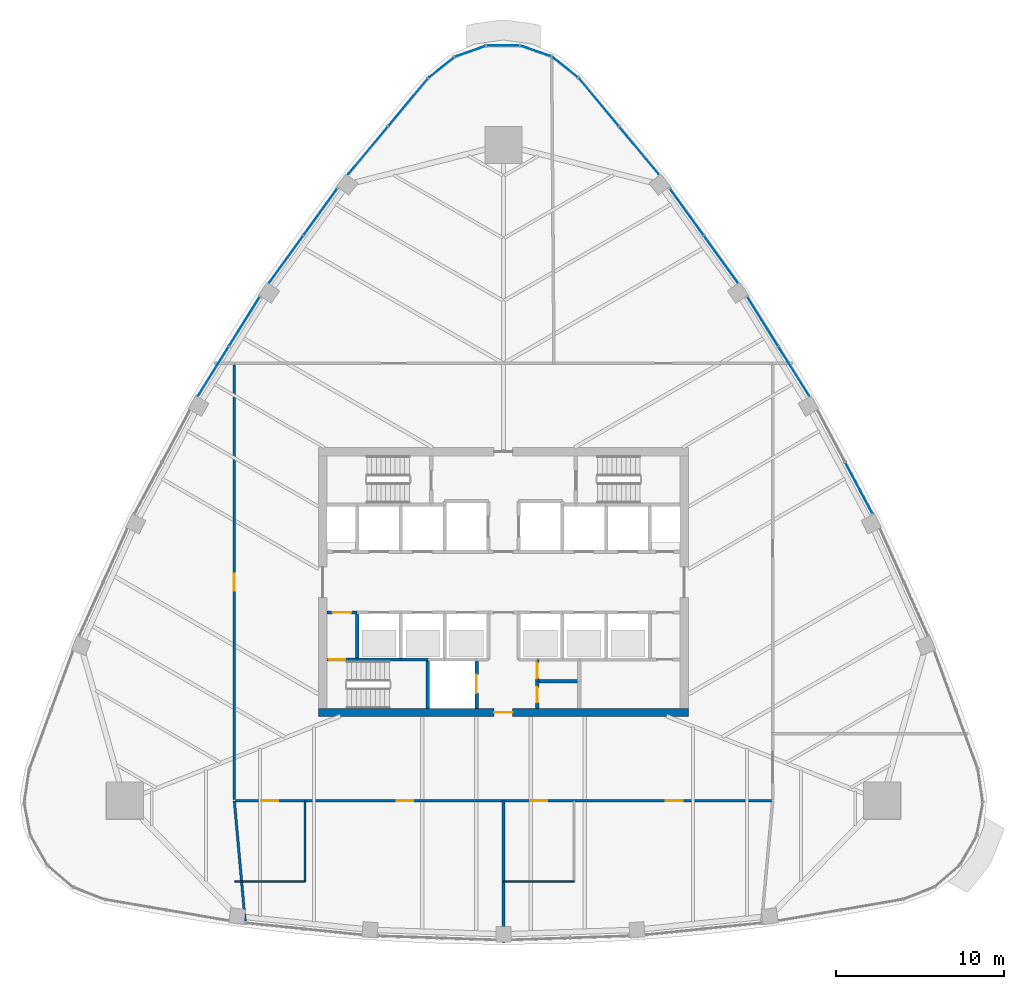
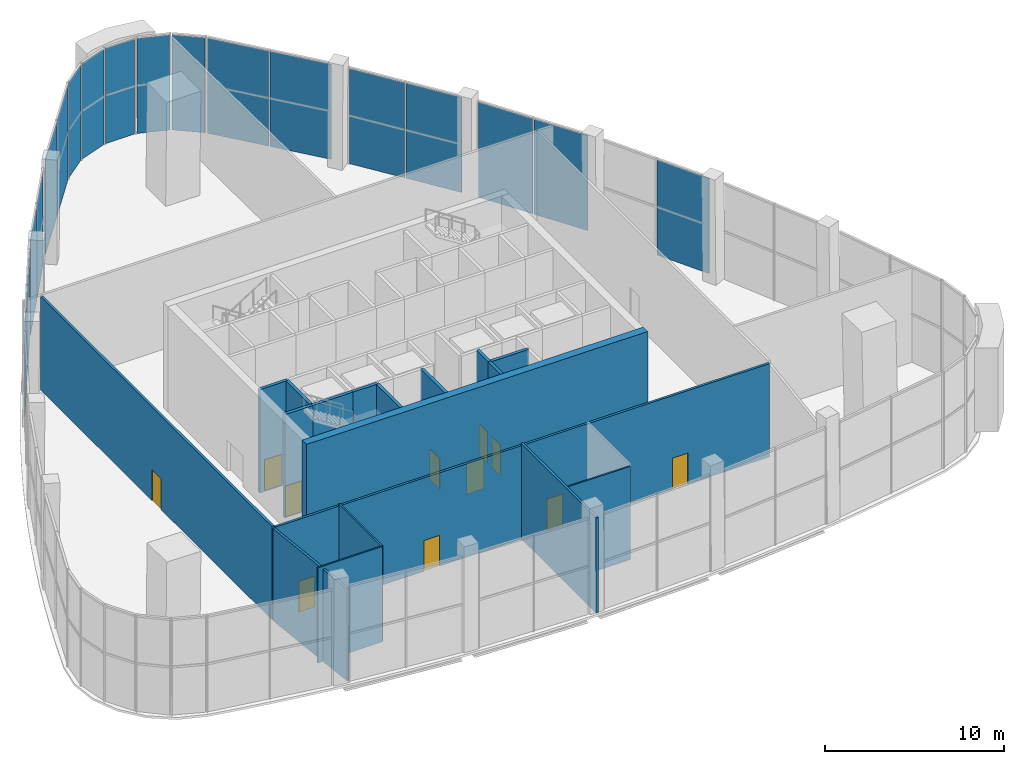
# One storey, part 9 of 15: 18 plates, 18 walls, 11 doors, 11 openings, 12 elements without a shape of their own.
"""IFC4 building model written with IfcOpenShell, lengths in metres."""

from ifc_helpers import new_model, si_unit, direction, frame, frame_2d, origin, origin_2d, place, context, subcontext, project, spatial, rectangle, extrude, material, layer, layer_set, type_object, element, fill, aggregate, save


model = new_model("IFC4")

# Units and contexts
model_context = context("Model", 3, precision=1e-05, world=origin(), true_north=direction((0.0, 1.0)))
body_context = subcontext(model_context, "Body", "Model", "MODEL_VIEW")
ifc_project = project(units=[si_unit("LENGTHUNIT", "METRE"), si_unit("AREAUNIT", "SQUARE_METRE"), si_unit("VOLUMEUNIT", "CUBIC_METRE"), si_unit("PLANEANGLEUNIT", "RADIAN"), si_unit("MASSUNIT", "GRAM", prefix="KILO")], contexts=[model_context])

# Site, building, storey
site_placement = place(None, origin())
site = spatial("IfcSite", under=ifc_project, at=site_placement, CompositionType="ELEMENT")
building_placement = place(site_placement, origin())
building = spatial("IfcBuilding", under=site, at=building_placement, Name="Sierra Prisma Convention Tower", CompositionType="ELEMENT")
storey_placement = place(building_placement, frame((0.0, 0.0, 219.800048828125)))
storey = spatial("IfcBuildingStorey", under=building, at=storey_placement, Name="L49", CompositionType="ELEMENT", Elevation=219.800048828125)

# Curtain wall, plate
ifc_material_1 = material(Name="Aluminium and glass curtain wall", Category="aluminium")
ifc_layer_1 = layer(ifc_material_1, 0.179931640625)
ifc_layer_set_1 = layer_set([ifc_layer_1], Name="CW-4 Sky lobby double-height curtain wall")
curtain_wall_type = type_object("IfcCurtainWallType", Name="CW-4 Sky lobby double-height curtain wall", PredefinedType="NOTDEFINED", material=ifc_layer_set_1)
curtain_wall_1_placement = place(storey_placement, origin())
curtain_wall_1 = element("IfcCurtainWall", 1, at=curtain_wall_1_placement, inside=storey, type_object=curtain_wall_type, Name="CW-4 NE3 L49", PredefinedType="NOTDEFINED")
ifc_material_2 = material(Name="Tinted glass bronze-grey IGU", Category="glass")
ifc_layer_2 = layer(ifc_material_2, 0.035888671875)
ifc_layer_set_2 = layer_set([ifc_layer_2], Name="CW-4 glass panel")
plate_type = type_object("IfcPlateType", Name="CW-4 glass panel", PredefinedType="CURTAIN_PANEL", material=ifc_layer_set_2)
plate_1_placement = place(storey_placement, frame((21.122802734375, 5.593505859375, 0.0), z_axis=(0.0, 0.0, 1.0), x_axis=(-0.470251214999, 0.882532602679, 0.0)))
plate_1 = element("IfcPlate", 2, at=plate_1_placement, type_object=plate_type, Name="CW-4 panel NE3.1", PredefinedType="CURTAIN_PANEL", context=body_context, shape_type="SweptSolid", body=[
    extrude(rectangle(XDim=3.42041015625, YDim=0.035888671875, at=origin_2d()), origin(), (0.0, 0.0, 1.0), 6.47998046875),
])
aggregate(curtain_wall_1, [plate_1])

# Curtain wall, plates
curtain_wall_2_placement = place(storey_placement, origin())
curtain_wall_2 = element("IfcCurtainWall", 3, at=curtain_wall_2_placement, inside=storey, type_object=curtain_wall_type, Name="CW-4 NE4 L49", PredefinedType="NOTDEFINED")
plate_2_placement = place(storey_placement, frame((17.25244140625, 12.534423828125, 0.0), z_axis=(0.0, 0.0, 1.0), x_axis=(-0.529170046089, 0.848515799689, 0.0)))
plate_2 = element("IfcPlate", 4, at=plate_2_placement, type_object=plate_type, Name="CW-4 panel NE4.1", PredefinedType="CURTAIN_PANEL", context=body_context, shape_type="SweptSolid", body=[
    extrude(rectangle(XDim=3.42041015625, YDim=0.035888671875, at=origin_2d()), origin(), (0.0, 0.0, 1.0), 6.47998046875),
])
plate_3_placement = place(storey_placement, frame((15.405517578125, 15.496337890625, 0.0), z_axis=(0.0, 0.0, 1.0), x_axis=(-0.529170046089, 0.848515799689, 0.0)))
plate_3 = element("IfcPlate", 5, at=plate_3_placement, type_object=plate_type, Name="CW-4 panel NE4.2", PredefinedType="CURTAIN_PANEL", context=body_context, shape_type="SweptSolid", body=[
    extrude(rectangle(XDim=3.42041015625, YDim=0.035888671875, at=origin_2d()), origin(), (0.0, 0.0, 1.0), 6.47998046875),
])
aggregate(curtain_wall_2, [plate_2, plate_3])

curtain_wall_3_placement = place(storey_placement, origin())
curtain_wall_3 = element("IfcCurtainWall", 6, at=curtain_wall_3_placement, inside=storey, type_object=curtain_wall_type, Name="CW-4 NE5 L49", PredefinedType="NOTDEFINED")
plate_4_placement = place(storey_placement, frame((12.917236328125, 19.200439453125, 0.0), z_axis=(0.0, 0.0, 1.0), x_axis=(-0.585639575776, 0.810571580605, 0.0)))
plate_4 = element("IfcPlate", 7, at=plate_4_placement, type_object=plate_type, Name="CW-4 panel NE5.1", PredefinedType="CURTAIN_PANEL", context=body_context, shape_type="SweptSolid", body=[
    extrude(rectangle(XDim=3.4052734375, YDim=0.035888671875, at=origin_2d()), origin(), (0.0, 0.0, 1.0), 6.47998046875),
])
plate_5_placement = place(storey_placement, frame((10.882080078125, 22.017333984375, 0.0), z_axis=(0.0, 0.0, 1.0), x_axis=(-0.585639575776, 0.810571580605, 0.0)))
plate_5 = element("IfcPlate", 8, at=plate_5_placement, type_object=plate_type, Name="CW-4 panel NE5.2", PredefinedType="CURTAIN_PANEL", context=body_context, shape_type="SweptSolid", body=[
    extrude(rectangle(XDim=3.4052734375, YDim=0.035888671875, at=origin_2d()), origin(), (0.0, 0.0, 1.0), 6.47998046875),
])
aggregate(curtain_wall_3, [plate_4, plate_5])

curtain_wall_4_placement = place(storey_placement, origin())
curtain_wall_4 = element("IfcCurtainWall", 9, at=curtain_wall_4_placement, inside=storey, type_object=curtain_wall_type, Name="CW-4 NE6 L49", PredefinedType="NOTDEFINED")
plate_6_placement = place(storey_placement, frame((8.0556640625, 25.656982421875, 0.0), z_axis=(0.0, 0.0, 1.0), x_axis=(-0.639398430787, 0.768875572968, 0.0)))
plate_6 = element("IfcPlate", 10, at=plate_6_placement, type_object=plate_type, Name="CW-4 panel NE6.1", PredefinedType="CURTAIN_PANEL", context=body_context, shape_type="SweptSolid", body=[
    extrude(rectangle(XDim=3.6513671875, YDim=0.035888671875, at=origin_2d()), origin(), (0.0, 0.0, 1.0), 6.47998046875),
])
plate_7_placement = place(storey_placement, frame((5.67626953125, 28.518310546875, 0.0), z_axis=(0.0, 0.0, 1.0), x_axis=(-0.639398430787, 0.768875572968, 0.0)))
plate_7 = element("IfcPlate", 11, at=plate_7_placement, type_object=plate_type, Name="CW-4 panel NE6.2", PredefinedType="CURTAIN_PANEL", context=body_context, shape_type="SweptSolid", body=[
    extrude(rectangle(XDim=3.6513671875, YDim=0.035888671875, at=origin_2d()), origin(), (0.0, 0.0, 1.0), 6.47998046875),
])
aggregate(curtain_wall_4, [plate_6, plate_7])

# Curtain wall, plate
curtain_wall_5_placement = place(storey_placement, origin())
curtain_wall_5 = element("IfcCurtainWall", 12, at=curtain_wall_5_placement, inside=storey, type_object=curtain_wall_type, Name="CW-4 N1 L49", PredefinedType="NOTDEFINED")
plate_8_placement = place(storey_placement, frame((3.680419921875, 30.602294921875, 0.0), z_axis=(0.0, 0.0, 1.0), x_axis=(-0.781053099151, 0.624464615736, 0.0)))
plate_8 = element("IfcPlate", 13, at=plate_8_placement, type_object=plate_type, Name="CW-4 panel N1.1", PredefinedType="CURTAIN_PANEL", context=body_context, shape_type="SweptSolid", body=[
    extrude(rectangle(XDim=1.866455078125, YDim=0.035888671875, at=origin_2d()), origin(), (0.0, 0.0, 1.0), 6.47998046875),
])
aggregate(curtain_wall_5, [plate_8])

curtain_wall_6_placement = place(storey_placement, origin())
curtain_wall_6 = element("IfcCurtainWall", 14, at=curtain_wall_6_placement, inside=storey, type_object=curtain_wall_type, Name="CW-4 N2 L49", PredefinedType="NOTDEFINED")
plate_9_placement = place(storey_placement, frame((1.949951171875, 31.560791015625, 0.0), z_axis=(0.0, 0.0, 1.0), x_axis=(-0.943677142661, 0.330867723447, 0.0)))
plate_9 = element("IfcPlate", 15, at=plate_9_placement, type_object=plate_type, Name="CW-4 panel N2.1", PredefinedType="CURTAIN_PANEL", context=body_context, shape_type="SweptSolid", body=[
    extrude(rectangle(XDim=1.866455078125, YDim=0.035888671875, at=origin_2d()), origin(), (0.0, 0.0, 1.0), 6.47998046875),
])
aggregate(curtain_wall_6, [plate_9])

curtain_wall_7_placement = place(storey_placement, origin())
curtain_wall_7 = element("IfcCurtainWall", 16, at=curtain_wall_7_placement, inside=storey, type_object=curtain_wall_type, Name="CW-4 N3 L49", PredefinedType="NOTDEFINED")
plate_10_placement = place(storey_placement, frame((0.0, 31.892822265625, 0.0), z_axis=(0.0, 0.0, 1.0), x_axis=(-1.0, 0.0, 0.0)))
plate_10 = element("IfcPlate", 17, at=plate_10_placement, type_object=plate_type, Name="CW-4 panel N3.1", PredefinedType="CURTAIN_PANEL", context=body_context, shape_type="SweptSolid", body=[
    extrude(rectangle(XDim=1.866455078125, YDim=0.035888671875, at=origin_2d()), origin(), (0.0, 0.0, 1.0), 6.47998046875),
])
aggregate(curtain_wall_7, [plate_10])

curtain_wall_8_placement = place(storey_placement, origin())
curtain_wall_8 = element("IfcCurtainWall", 18, at=curtain_wall_8_placement, inside=storey, type_object=curtain_wall_type, Name="CW-4 N4 L49", PredefinedType="NOTDEFINED")
plate_11_placement = place(storey_placement, frame((-1.949951171875, 31.560791015625, 0.0), z_axis=(0.0, 0.0, 1.0), x_axis=(-0.943677142661, -0.330867723447, 0.0)))
plate_11 = element("IfcPlate", 19, at=plate_11_placement, type_object=plate_type, Name="CW-4 panel N4.1", PredefinedType="CURTAIN_PANEL", context=body_context, shape_type="SweptSolid", body=[
    extrude(rectangle(XDim=1.866455078125, YDim=0.035888671875, at=origin_2d()), origin(), (0.0, 0.0, 1.0), 6.47998046875),
])
aggregate(curtain_wall_8, [plate_11])

curtain_wall_9_placement = place(storey_placement, origin())
curtain_wall_9 = element("IfcCurtainWall", 20, at=curtain_wall_9_placement, inside=storey, type_object=curtain_wall_type, Name="CW-4 N5 L49", PredefinedType="NOTDEFINED")
plate_12_placement = place(storey_placement, frame((-3.680419921875, 30.602294921875, 0.0), z_axis=(0.0, 0.0, 1.0), x_axis=(-0.781053099151, -0.624464615736, 0.0)))
plate_12 = element("IfcPlate", 21, at=plate_12_placement, type_object=plate_type, Name="CW-4 panel N5.1", PredefinedType="CURTAIN_PANEL", context=body_context, shape_type="SweptSolid", body=[
    extrude(rectangle(XDim=1.866455078125, YDim=0.035888671875, at=origin_2d()), origin(), (0.0, 0.0, 1.0), 6.47998046875),
])
aggregate(curtain_wall_9, [plate_12])

# Curtain wall, plates
curtain_wall_10_placement = place(storey_placement, origin())
curtain_wall_10 = element("IfcCurtainWall", 22, at=curtain_wall_10_placement, inside=storey, type_object=curtain_wall_type, Name="CW-4 NW1 L49", PredefinedType="NOTDEFINED")
plate_13_placement = place(storey_placement, frame((-5.67626953125, 28.518310546875, 0.0), z_axis=(0.0, 0.0, 1.0), x_axis=(-0.639398430787, -0.768875572968, 0.0)))
plate_13 = element("IfcPlate", 23, at=plate_13_placement, type_object=plate_type, Name="CW-4 panel NW1.1", PredefinedType="CURTAIN_PANEL", context=body_context, shape_type="SweptSolid", body=[
    extrude(rectangle(XDim=3.6513671875, YDim=0.035888671875, at=origin_2d()), origin(), (0.0, 0.0, 1.0), 6.47998046875),
])
plate_14_placement = place(storey_placement, frame((-8.0556640625, 25.656982421875, 0.0), z_axis=(0.0, 0.0, 1.0), x_axis=(-0.639398430787, -0.768875572968, 0.0)))
plate_14 = element("IfcPlate", 24, at=plate_14_placement, type_object=plate_type, Name="CW-4 panel NW1.2", PredefinedType="CURTAIN_PANEL", context=body_context, shape_type="SweptSolid", body=[
    extrude(rectangle(XDim=3.6513671875, YDim=0.035888671875, at=origin_2d()), origin(), (0.0, 0.0, 1.0), 6.47998046875),
])
aggregate(curtain_wall_10, [plate_13, plate_14])

curtain_wall_11_placement = place(storey_placement, origin())
curtain_wall_11 = element("IfcCurtainWall", 25, at=curtain_wall_11_placement, inside=storey, type_object=curtain_wall_type, Name="CW-4 NW2 L49", PredefinedType="NOTDEFINED")
plate_15_placement = place(storey_placement, frame((-10.8828125, 22.016357421875, 0.0), z_axis=(0.0, 0.0, 1.0), x_axis=(-0.585639575776, -0.810571580605, 0.0)))
plate_15 = element("IfcPlate", 26, at=plate_15_placement, type_object=plate_type, Name="CW-4 panel NW2.1", PredefinedType="CURTAIN_PANEL", context=body_context, shape_type="SweptSolid", body=[
    extrude(rectangle(XDim=3.404296875, YDim=0.035888671875, at=origin_2d()), origin(), (0.0, 0.0, 1.0), 6.47998046875),
])
plate_16_placement = place(storey_placement, frame((-12.91748046875, 19.199951171875, 0.0), z_axis=(0.0, 0.0, 1.0), x_axis=(-0.585639575776, -0.810571580605, 0.0)))
plate_16 = element("IfcPlate", 27, at=plate_16_placement, type_object=plate_type, Name="CW-4 panel NW2.2", PredefinedType="CURTAIN_PANEL", context=body_context, shape_type="SweptSolid", body=[
    extrude(rectangle(XDim=3.404296875, YDim=0.035888671875, at=origin_2d()), origin(), (0.0, 0.0, 1.0), 6.47998046875),
])
aggregate(curtain_wall_11, [plate_15, plate_16])

curtain_wall_12_placement = place(storey_placement, origin())
curtain_wall_12 = element("IfcCurtainWall", 28, at=curtain_wall_12_placement, inside=storey, type_object=curtain_wall_type, Name="CW-4 NW3 L49", PredefinedType="NOTDEFINED")
plate_17_placement = place(storey_placement, frame((-15.405517578125, 15.49609375, 0.0), z_axis=(0.0, 0.0, 1.0), x_axis=(-0.529170046089, -0.848515799689, 0.0)))
plate_17 = element("IfcPlate", 29, at=plate_17_placement, type_object=plate_type, Name="CW-4 panel NW3.1", PredefinedType="CURTAIN_PANEL", context=body_context, shape_type="SweptSolid", body=[
    extrude(rectangle(XDim=3.42041015625, YDim=0.035888671875, at=origin_2d()), origin(), (0.0, 0.0, 1.0), 6.47998046875),
])
plate_18_placement = place(storey_placement, frame((-17.252685546875, 12.534423828125, 0.0), z_axis=(0.0, 0.0, 1.0), x_axis=(-0.529170046089, -0.848515799689, 0.0)))
plate_18 = element("IfcPlate", 30, at=plate_18_placement, type_object=plate_type, Name="CW-4 panel NW3.2", PredefinedType="CURTAIN_PANEL", context=body_context, shape_type="SweptSolid", body=[
    extrude(rectangle(XDim=3.42041015625, YDim=0.035888671875, at=origin_2d()), origin(), (0.0, 0.0, 1.0), 6.47998046875),
])
aggregate(curtain_wall_12, [plate_17, plate_18])

# Walls
ifc_material_3 = material(Name="Gypsum board partition", Category="gypsum")
ifc_layer_3 = layer(ifc_material_3, 0.10009765625)
ifc_layer_set_3 = layer_set([ifc_layer_3], Name="Bathroom partition 100")
wall_type_1 = type_object("IfcWallType", Name="Bathroom partition 100", PredefinedType="PARTITIONING", material=ifc_layer_set_3)
wall_1_placement = place(storey_placement, frame((-11.800048828125, -13.030029296875, 0.0), z_axis=(0.0, 0.0, 1.0), x_axis=(0.0, -1.0, 0.0)))
element("IfcWall", 31, at=wall_1_placement, inside=storey, type_object=wall_type_1, Name="Partition L49 bath 1", PredefinedType="PARTITIONING", context=body_context, shape_type="SweptSolid", body=[
    extrude(rectangle(XDim=4.77001953125, YDim=0.10009765625, at=frame_2d((2.385009765625, 0.0))), origin(), (0.0, 0.0, 1.0), 6.5),
])
wall_2_placement = place(storey_placement, frame((-11.800048828125, -17.800048828125, 0.0), z_axis=(0.0, 0.0, 1.0), x_axis=(-1.0, 0.0, 0.0)))
element("IfcWall", 32, at=wall_2_placement, inside=storey, type_object=wall_type_1, Name="Partition L49 bath 2", PredefinedType="PARTITIONING", context=body_context, shape_type="SweptSolid", body=[
    extrude(rectangle(XDim=4.169921875, YDim=0.10009765625, at=frame_2d((2.0849609375, 0.0))), origin(), (0.0, 0.0, 1.0), 6.492919921875),
])
wall_3_placement = place(storey_placement, frame((4.199951171875, -17.800048828125, 0.0), z_axis=(0.0, 0.0, 1.0), x_axis=(-1.0, 0.0, 0.0)))
element("IfcWall", 33, at=wall_3_placement, inside=storey, type_object=wall_type_1, Name="Partition L49 bath 4", PredefinedType="PARTITIONING", context=body_context, shape_type="SweptSolid", body=[
    extrude(rectangle(XDim=4.169921875, YDim=0.10009765625, at=frame_2d((2.0849609375, 0.0))), origin(), (0.0, 0.0, 1.0), 6.366943359375),
])

# Wall, opening, door
ifc_material_4 = material(Name="Concrete C30/37", Category="concrete")
ifc_layer_4 = layer(ifc_material_4, 0.199951171875)
ifc_layer_set_4 = layer_set([ifc_layer_4], Name="Core wall RC 200 C30/37")
wall_type_2 = type_object("IfcWallType", Name="Core wall RC 200 C30/37", PredefinedType="SOLIDWALL", material=ifc_layer_set_4)
wall_4_placement = place(storey_placement, frame((-10.5, -4.60009765625, 0.0), z_axis=(0.0, 0.0, 1.0), x_axis=(1.0, 0.0, 0.0)))
wall_4 = element("IfcWall", 34, at=wall_4_placement, inside=storey, type_object=wall_type_2, Name="Core wall L49 1", PredefinedType="SOLIDWALL", context=body_context, shape_type="SweptSolid", body=[
    extrude(rectangle(XDim=1.800048828125, YDim=0.199951171875, at=frame_2d((0.89990234375, 0.0))), origin(), (0.0, 0.0, 1.0), 7.050048828125),
])
opening_1_placement = place(wall_4_placement, frame((0.10009765625, 0.0, 0.0)))
opening_1 = element("IfcOpeningElement", 35, at=opening_1_placement, cuts=wall_4, Name="Opening L49-D019", PredefinedType="OPENING", context=body_context, shape_type="SweptSolid", body=[
    extrude(rectangle(XDim=1.0, YDim=2.10009765625, at=frame_2d((0.5, 1.050048828125))), frame((0.0, 0.10009765625, 0.0), z_axis=(0.0, -1.0, 0.0), x_axis=(1.0, 0.0, 0.0)), (0.0, 0.0, 1.0), 0.199951171875),
])
ifc_material_5 = material(Name="Steel fire door leaf", Category="steel")
door_type_1 = type_object("IfcDoorType", Name="Door 1000x2100 FD90S", OperationType="SINGLE_SWING_LEFT", PredefinedType="DOOR", material=ifc_material_5)
door_1_placement = place(opening_1_placement, origin())
door_1 = element("IfcDoor", 36, at=door_1_placement, inside=storey, type_object=door_type_1, Name="Door L49 28", OperationType="SINGLE_SWING_LEFT", OverallHeight=2.10009765625, OverallWidth=1.0, PredefinedType="DOOR", context=body_context, shape_type="SweptSolid", body=[
    extrude(rectangle(XDim=1.0, YDim=2.10009765625, at=frame_2d((0.5, 1.050048828125))), frame((0.0, 0.02490234375, 0.0), z_axis=(0.0, -1.0, 0.0), x_axis=(1.0, 0.0, 0.0)), (0.0, 0.0, 1.0), 0.050048828125),
])
fill(opening_1, door_1)

wall_5_placement = place(storey_placement, frame((-10.5, -1.800048828125, 0.0), z_axis=(0.0, 0.0, 1.0), x_axis=(1.0, 0.0, 0.0)))
wall_5 = element("IfcWall", 37, at=wall_5_placement, inside=storey, type_object=wall_type_2, Name="Core wall L49 2", PredefinedType="SOLIDWALL", context=body_context, shape_type="SweptSolid", body=[
    extrude(rectangle(XDim=1.800048828125, YDim=0.199951171875, at=frame_2d((0.89990234375, 0.0))), origin(), (0.0, 0.0, 1.0), 7.050048828125),
])
opening_2_placement = place(wall_5_placement, frame((0.35009765625, 0.0, 0.0)))
opening_2 = element("IfcOpeningElement", 38, at=opening_2_placement, cuts=wall_5, Name="Opening L49-D014", PredefinedType="OPENING", context=body_context, shape_type="SweptSolid", body=[
    extrude(rectangle(XDim=1.10009765625, YDim=2.10009765625, at=frame_2d((0.550048828125, 1.050048828125))), frame((0.0, 0.10009765625, 0.0), z_axis=(0.0, -1.0, 0.0), x_axis=(1.0, 0.0, 0.0)), (0.0, 0.0, 1.0), 0.199951171875),
])
ifc_material_6 = material(Name="Steel fire door leaf", Category="steel")
door_type_2 = type_object("IfcDoorType", Name="Door 1100x2100 FD90S", OperationType="SINGLE_SWING_LEFT", PredefinedType="DOOR", material=ifc_material_6)
door_2_placement = place(opening_2_placement, origin())
door_2 = element("IfcDoor", 39, at=door_2_placement, inside=storey, type_object=door_type_2, Name="Door L49 23", OperationType="SINGLE_SWING_RIGHT", OverallHeight=2.10009765625, OverallWidth=1.10009765625, PredefinedType="DOOR", context=body_context, shape_type="SweptSolid", body=[
    extrude(rectangle(XDim=1.10009765625, YDim=2.10009765625, at=frame_2d((0.550048828125, 1.050048828125))), frame((0.0, 0.02490234375, 0.0), z_axis=(0.0, -1.0, 0.0), x_axis=(1.0, 0.0, 0.0)), (0.0, 0.0, 1.0), 0.050048828125),
])
fill(opening_2, door_2)

# Walls
wall_6_placement = place(storey_placement, frame((-8.699951171875, -4.60009765625, 0.0), z_axis=(0.0, 0.0, 1.0), x_axis=(1.0, 0.0, 0.0)))
element("IfcWall", 40, at=wall_6_placement, inside=storey, type_object=wall_type_2, Name="Core wall L49 5", PredefinedType="SOLIDWALL", context=body_context, shape_type="SweptSolid", body=[
    extrude(rectangle(XDim=2.599853515625, YDim=0.199951171875, at=frame_2d((1.2998046875, 0.0))), origin(), (0.0, 0.0, 1.0), 7.050048828125),
])
wall_7_placement = place(storey_placement, frame((-8.699951171875, -4.60009765625, 0.0), z_axis=(0.0, 0.0, 1.0), x_axis=(0.0, 1.0, 0.0)))
element("IfcWall", 41, at=wall_7_placement, inside=storey, type_object=wall_type_2, Name="Core wall L49 6", PredefinedType="SOLIDWALL", context=body_context, shape_type="SweptSolid", body=[
    extrude(rectangle(XDim=2.800048828125, YDim=0.199951171875, at=frame_2d((1.39990234375, 0.0))), origin(), (0.0, 0.0, 1.0), 7.050048828125),
])
wall_8_placement = place(storey_placement, frame((-6.10009765625, -4.60009765625, 0.0), z_axis=(0.0, 0.0, 1.0), x_axis=(1.0, 0.0, 0.0)))
element("IfcWall", 42, at=wall_8_placement, inside=storey, type_object=wall_type_2, Name="Core wall L49 11", PredefinedType="SOLIDWALL", context=body_context, shape_type="SweptSolid", body=[
    extrude(rectangle(XDim=1.60009765625, YDim=0.199951171875, at=frame_2d((0.800048828125, 0.0))), origin(), (0.0, 0.0, 1.0), 7.050048828125),
])
wall_9_placement = place(storey_placement, frame((-4.5, -4.60009765625, 0.0), z_axis=(0.0, 0.0, 1.0), x_axis=(0.0, -1.0, 0.0)))
element("IfcWall", 43, at=wall_9_placement, inside=storey, type_object=wall_type_2, Name="Core wall L49 17", PredefinedType="SOLIDWALL", context=body_context, shape_type="SweptSolid", body=[
    extrude(rectangle(XDim=2.89990234375, YDim=0.199951171875, at=frame_2d((1.449951171875, 0.0))), origin(), (0.0, 0.0, 1.0), 7.050048828125),
])

# Wall, opening, door
wall_10_placement = place(storey_placement, frame((-1.60009765625, -7.5, 0.0), z_axis=(0.0, 0.0, 1.0), x_axis=(0.0, 1.0, 0.0)))
wall_10 = element("IfcWall", 44, at=wall_10_placement, inside=storey, type_object=wall_type_2, Name="Core wall L49 29", PredefinedType="SOLIDWALL", context=body_context, shape_type="SweptSolid", body=[
    extrude(rectangle(XDim=2.89990234375, YDim=0.199951171875, at=frame_2d((1.449951171875, 0.0))), origin(), (0.0, 0.0, 1.0), 7.050048828125),
])
opening_3_placement = place(wall_10_placement, frame((0.89990234375, 0.0, 0.0)))
opening_3 = element("IfcOpeningElement", 45, at=opening_3_placement, cuts=wall_10, Name="Opening L49-D013", PredefinedType="OPENING", context=body_context, shape_type="SweptSolid", body=[
    extrude(rectangle(XDim=1.10009765625, YDim=2.10009765625, at=frame_2d((0.550048828125, 1.050048828125))), frame((0.0, 0.10009765625, 0.0), z_axis=(0.0, -1.0, 0.0), x_axis=(1.0, 0.0, 0.0)), (0.0, 0.0, 1.0), 0.199951171875),
])
ifc_material_7 = material(Name="Steel fire door leaf", Category="steel")
door_type_3 = type_object("IfcDoorType", Name="Door 1100x2100 EI 90 sliding lift landing", OperationType="SLIDING_TO_LEFT", PredefinedType="DOOR", material=ifc_material_7)
door_3_placement = place(opening_3_placement, origin())
door_3 = element("IfcDoor", 46, at=door_3_placement, inside=storey, type_object=door_type_3, Name="Door L49 22", OperationType="SLIDING_TO_RIGHT", OverallHeight=2.10009765625, OverallWidth=1.10009765625, PredefinedType="DOOR", context=body_context, shape_type="SweptSolid", body=[
    extrude(rectangle(XDim=1.10009765625, YDim=2.10009765625, at=frame_2d((0.550048828125, 1.050048828125))), frame((0.0, 0.02490234375, 0.0), z_axis=(0.0, -1.0, 0.0), x_axis=(1.0, 0.0, 0.0)), (0.0, 0.0, 1.0), 0.050048828125),
])
fill(opening_3, door_3)

wall_11_placement = place(storey_placement, frame((2.0, -5.89990234375, 0.0), z_axis=(0.0, 0.0, 1.0), x_axis=(0.0, -1.0, 0.0)))
wall_11 = element("IfcWall", 47, at=wall_11_placement, inside=storey, type_object=wall_type_2, Name="Core wall L49 41", PredefinedType="SOLIDWALL", context=body_context, shape_type="SweptSolid", body=[
    extrude(rectangle(XDim=1.60009765625, YDim=0.199951171875, at=frame_2d((0.800048828125, 0.0))), origin(), (0.0, 0.0, 1.0), 7.050048828125),
])
opening_4_placement = place(wall_11_placement, frame((0.35009765625, 0.0, 0.0)))
opening_4 = element("IfcOpeningElement", 48, at=opening_4_placement, cuts=wall_11, Name="Opening L49-D024", PredefinedType="OPENING", context=body_context, shape_type="SweptSolid", body=[
    extrude(rectangle(XDim=0.89990234375, YDim=2.10009765625, at=frame_2d((0.449951171875, 1.050048828125))), frame((0.0, 0.10009765625, 0.0), z_axis=(0.0, -1.0, 0.0), x_axis=(1.0, 0.0, 0.0)), (0.0, 0.0, 1.0), 0.199951171875),
])
ifc_material_8 = material(Name="Steel fire door leaf", Category="steel")
door_type_4 = type_object("IfcDoorType", Name="Door 900x2100 FD30S", OperationType="SINGLE_SWING_LEFT", PredefinedType="DOOR", material=ifc_material_8)
door_4_placement = place(opening_4_placement, origin())
door_4 = element("IfcDoor", 49, at=door_4_placement, inside=storey, type_object=door_type_4, Name="Door L49 33", OperationType="SINGLE_SWING_RIGHT", OverallHeight=2.10009765625, OverallWidth=0.89990234375, PredefinedType="DOOR", context=body_context, shape_type="SweptSolid", body=[
    extrude(rectangle(XDim=0.89990234375, YDim=2.10009765625, at=frame_2d((0.449951171875, 1.050048828125))), frame((0.0, 0.02490234375, 0.0), z_axis=(0.0, -1.0, 0.0), x_axis=(1.0, 0.0, 0.0)), (0.0, 0.0, 1.0), 0.050048828125),
])
fill(opening_4, door_4)

# Wall
wall_12_placement = place(storey_placement, frame((4.5, -5.89990234375, 0.0), z_axis=(0.0, 0.0, 1.0), x_axis=(-1.0, 0.0, 0.0)))
element("IfcWall", 50, at=wall_12_placement, inside=storey, type_object=wall_type_2, Name="Core wall L49 42", PredefinedType="SOLIDWALL", context=body_context, shape_type="SweptSolid", body=[
    extrude(rectangle(XDim=2.5, YDim=0.199951171875, at=frame_2d((1.25, 0.0))), origin(), (0.0, 0.0, 1.0), 7.050048828125),
])

# Wall, opening, door
wall_13_placement = place(storey_placement, frame((2.0, -4.60009765625, 0.0), z_axis=(0.0, 0.0, 1.0), x_axis=(0.0, -1.0, 0.0)))
wall_13 = element("IfcWall", 51, at=wall_13_placement, inside=storey, type_object=wall_type_2, Name="Core wall L49 43", PredefinedType="SOLIDWALL", context=body_context, shape_type="SweptSolid", body=[
    extrude(rectangle(XDim=1.2998046875, YDim=0.199951171875, at=frame_2d((0.64990234375, 0.0))), origin(), (0.0, 0.0, 1.0), 7.050048828125),
])
opening_5_placement = place(wall_13_placement, frame((0.199951171875, 0.0, 0.0)))
opening_5 = element("IfcOpeningElement", 52, at=opening_5_placement, cuts=wall_13, Name="Opening L49-D025", PredefinedType="OPENING", context=body_context, shape_type="SweptSolid", body=[
    extrude(rectangle(XDim=0.89990234375, YDim=2.10009765625, at=frame_2d((0.449951171875, 1.050048828125))), frame((0.0, 0.10009765625, 0.0), z_axis=(0.0, -1.0, 0.0), x_axis=(1.0, 0.0, 0.0)), (0.0, 0.0, 1.0), 0.199951171875),
])
door_5_placement = place(opening_5_placement, origin())
door_5 = element("IfcDoor", 53, at=door_5_placement, inside=storey, type_object=door_type_4, Name="Door L49 34", OperationType="SINGLE_SWING_RIGHT", OverallHeight=2.10009765625, OverallWidth=0.89990234375, PredefinedType="DOOR", context=body_context, shape_type="SweptSolid", body=[
    extrude(rectangle(XDim=0.89990234375, YDim=2.10009765625, at=frame_2d((0.449951171875, 1.050048828125))), frame((0.0, 0.02490234375, 0.0), z_axis=(0.0, -1.0, 0.0), x_axis=(1.0, 0.0, 0.0)), (0.0, 0.0, 1.0), 0.050048828125),
])
fill(opening_5, door_5)

ifc_material_9 = material(Name="Concrete C50/60", Category="concrete")
ifc_layer_5 = layer(ifc_material_9, 0.5)
ifc_layer_set_5 = layer_set([ifc_layer_5], Name="Core wall RC 500 C50/60")
wall_type_3 = type_object("IfcWallType", Name="Core wall RC 500 C50/60", PredefinedType="SHEAR", material=ifc_layer_set_5)
wall_14_placement = place(storey_placement, frame((-11.0, -7.75, 0.0), z_axis=(0.0, 0.0, 1.0), x_axis=(1.0, 0.0, 0.0)))
wall_14 = element("IfcWall", 54, at=wall_14_placement, inside=storey, type_object=wall_type_3, Name="Core wall S L49", PredefinedType="SHEAR", context=body_context, shape_type="SweptSolid", body=[
    extrude(rectangle(XDim=22.0, YDim=0.5, at=frame_2d((11.0, 0.0))), origin(), (0.0, 0.0, 1.0), 7.199951171875),
])
opening_6_placement = place(wall_14_placement, frame((10.449951171875, 0.0, 0.0)))
opening_6 = element("IfcOpeningElement", 55, at=opening_6_placement, cuts=wall_14, Name="Opening L49-D037", PredefinedType="OPENING", context=body_context, shape_type="SweptSolid", body=[
    extrude(rectangle(XDim=1.10009765625, YDim=2.10009765625, at=frame_2d((0.550048828125, 1.050048828125))), frame((0.0, 0.25, 0.0), z_axis=(0.0, -1.0, 0.0), x_axis=(1.0, 0.0, 0.0)), (0.0, 0.0, 1.0), 0.5),
])
ifc_material_10 = material(Name="Steel fire door leaf", Category="steel")
door_type_5 = type_object("IfcDoorType", Name="Door 1100x2100 FD30S", OperationType="SINGLE_SWING_LEFT", PredefinedType="DOOR", material=ifc_material_10)
door_6_placement = place(opening_6_placement, origin())
door_6 = element("IfcDoor", 56, at=door_6_placement, inside=storey, type_object=door_type_5, Name="Door L49 38", OperationType="SINGLE_SWING_LEFT", OverallHeight=2.10009765625, OverallWidth=1.10009765625, PredefinedType="DOOR", context=body_context, shape_type="SweptSolid", body=[
    extrude(rectangle(XDim=1.10009765625, YDim=2.10009765625, at=frame_2d((0.550048828125, 1.050048828125))), frame((0.0, 0.02490234375, 0.0), z_axis=(0.0, -1.0, 0.0), x_axis=(1.0, 0.0, 0.0)), (0.0, 0.0, 1.0), 0.050048828125),
])
fill(opening_6, door_6)

ifc_material_11 = material(Name="Gypsum board partition", Category="gypsum")
ifc_layer_6 = layer(ifc_material_11, 0.14990234375)
ifc_layer_set_6 = layer_set([ifc_layer_6], Name="Corridor wall 150 gypsum EI 60")
wall_type_4 = type_object("IfcWallType", Name="Corridor wall 150 gypsum EI 60", PredefinedType="PARTITIONING", material=ifc_layer_set_6)
wall_15_placement = place(storey_placement, frame((-16.0, 12.919921875, 0.0), z_axis=(0.0, 0.0, 1.0), x_axis=(0.0, -1.0, 0.0)))
wall_15 = element("IfcWall", 57, at=wall_15_placement, inside=storey, type_object=wall_type_4, Name="Partition L49 corr 1", PredefinedType="PARTITIONING", context=body_context, shape_type="SweptSolid", body=[
    extrude(rectangle(XDim=25.83984375, YDim=0.14990234375, at=frame_2d((12.919921875, 0.0))), origin(), (0.0, 0.0, 1.0), 6.366943359375),
])
opening_7_placement = place(wall_15_placement, frame((12.429931640625, 0.0, 0.0)))
opening_7 = element("IfcOpeningElement", 58, at=opening_7_placement, cuts=wall_15, Name="Opening L49-D028", PredefinedType="OPENING", context=body_context, shape_type="SweptSolid", body=[
    extrude(rectangle(XDim=1.0, YDim=2.10009765625, at=frame_2d((0.5, 1.050048828125))), frame((0.0, 0.074951171875, 0.0), z_axis=(0.0, -1.0, 0.0), x_axis=(1.0, 0.0, 0.0)), (0.0, 0.0, 1.0), 0.14990234375),
])
ifc_material_12 = material(Name="Steel fire door leaf", Category="steel")
door_type_6 = type_object("IfcDoorType", Name="Door 1000x2100 FD30S", OperationType="SINGLE_SWING_LEFT", PredefinedType="DOOR", material=ifc_material_12)
door_7_placement = place(opening_7_placement, origin())
door_7 = element("IfcDoor", 59, at=door_7_placement, inside=storey, type_object=door_type_6, Name="Door L49 3", OperationType="SINGLE_SWING_LEFT", OverallHeight=2.10009765625, OverallWidth=1.0, PredefinedType="DOOR", context=body_context, shape_type="SweptSolid", body=[
    extrude(rectangle(XDim=1.0, YDim=2.10009765625, at=frame_2d((0.5, 1.050048828125))), frame((0.0, 0.02490234375, 0.0), z_axis=(0.0, -1.0, 0.0), x_axis=(1.0, 0.0, 0.0)), (0.0, 0.0, 1.0), 0.050048828125),
])
fill(opening_7, door_7)

# Wall, openings, doors
wall_16_placement = place(storey_placement, frame((-15.919921875, -13.0, 0.0), z_axis=(0.0, 0.0, 1.0), x_axis=(1.0, 0.0, 0.0)))
wall_16 = element("IfcWall", 60, at=wall_16_placement, inside=storey, type_object=wall_type_4, Name="Partition L49 corr 2", PredefinedType="PARTITIONING", context=body_context, shape_type="SweptSolid", body=[
    extrude(rectangle(XDim=31.83984375, YDim=0.14990234375, at=frame_2d((15.919921875, 0.0))), origin(), (0.0, 0.0, 1.0), 6.366943359375),
])
opening_8_placement = place(wall_16_placement, frame((1.52001953125, 0.0, 0.0)))
opening_8 = element("IfcOpeningElement", 61, at=opening_8_placement, cuts=wall_16, Name="Opening L49-D029", PredefinedType="OPENING", context=body_context, shape_type="SweptSolid", body=[
    extrude(rectangle(XDim=1.0, YDim=2.10009765625, at=frame_2d((0.5, 1.050048828125))), frame((0.0, 0.074951171875, 0.0), z_axis=(0.0, -1.0, 0.0), x_axis=(1.0, 0.0, 0.0)), (0.0, 0.0, 1.0), 0.14990234375),
])
opening_9_placement = place(wall_16_placement, frame((9.570068359375, 0.0, 0.0)))
opening_9 = element("IfcOpeningElement", 62, at=opening_9_placement, cuts=wall_16, Name="Opening L49-D030", PredefinedType="OPENING", context=body_context, shape_type="SweptSolid", body=[
    extrude(rectangle(XDim=1.0, YDim=2.10009765625, at=frame_2d((0.5, 1.050048828125))), frame((0.0, 0.074951171875, 0.0), z_axis=(0.0, -1.0, 0.0), x_axis=(1.0, 0.0, 0.0)), (0.0, 0.0, 1.0), 0.14990234375),
])
opening_10_placement = place(wall_16_placement, frame((17.52001953125, 0.0, 0.0)))
opening_10 = element("IfcOpeningElement", 63, at=opening_10_placement, cuts=wall_16, Name="Opening L49-D031", PredefinedType="OPENING", context=body_context, shape_type="SweptSolid", body=[
    extrude(rectangle(XDim=1.0, YDim=2.10009765625, at=frame_2d((0.5, 1.050048828125))), frame((0.0, 0.074951171875, 0.0), z_axis=(0.0, -1.0, 0.0), x_axis=(1.0, 0.0, 0.0)), (0.0, 0.0, 1.0), 0.14990234375),
])
opening_11_placement = place(wall_16_placement, frame((25.570068359375, 0.0, 0.0)))
opening_11 = element("IfcOpeningElement", 64, at=opening_11_placement, cuts=wall_16, Name="Opening L49-D032", PredefinedType="OPENING", context=body_context, shape_type="SweptSolid", body=[
    extrude(rectangle(XDim=1.0, YDim=2.10009765625, at=frame_2d((0.5, 1.050048828125))), frame((0.0, 0.074951171875, 0.0), z_axis=(0.0, -1.0, 0.0), x_axis=(1.0, 0.0, 0.0)), (0.0, 0.0, 1.0), 0.14990234375),
])
door_8_placement = place(opening_8_placement, origin())
door_8 = element("IfcDoor", 65, at=door_8_placement, inside=storey, type_object=door_type_6, Name="Door L49 4", OperationType="SINGLE_SWING_RIGHT", OverallHeight=2.10009765625, OverallWidth=1.0, PredefinedType="DOOR", context=body_context, shape_type="SweptSolid", body=[
    extrude(rectangle(XDim=1.0, YDim=2.10009765625, at=frame_2d((0.5, 1.050048828125))), frame((0.0, 0.02490234375, 0.0), z_axis=(0.0, -1.0, 0.0), x_axis=(1.0, 0.0, 0.0)), (0.0, 0.0, 1.0), 0.050048828125),
])
fill(opening_8, door_8)
door_9_placement = place(opening_9_placement, origin())
door_9 = element("IfcDoor", 66, at=door_9_placement, inside=storey, type_object=door_type_6, Name="Door L49 5", OperationType="SINGLE_SWING_RIGHT", OverallHeight=2.10009765625, OverallWidth=1.0, PredefinedType="DOOR", context=body_context, shape_type="SweptSolid", body=[
    extrude(rectangle(XDim=1.0, YDim=2.10009765625, at=frame_2d((0.5, 1.050048828125))), frame((0.0, 0.02490234375, 0.0), z_axis=(0.0, -1.0, 0.0), x_axis=(1.0, 0.0, 0.0)), (0.0, 0.0, 1.0), 0.050048828125),
])
fill(opening_9, door_9)
door_10_placement = place(opening_10_placement, origin())
door_10 = element("IfcDoor", 67, at=door_10_placement, inside=storey, type_object=door_type_6, Name="Door L49 6", OperationType="SINGLE_SWING_LEFT", OverallHeight=2.10009765625, OverallWidth=1.0, PredefinedType="DOOR", context=body_context, shape_type="SweptSolid", body=[
    extrude(rectangle(XDim=1.0, YDim=2.10009765625, at=frame_2d((0.5, 1.050048828125))), frame((0.0, 0.02490234375, 0.0), z_axis=(0.0, -1.0, 0.0), x_axis=(1.0, 0.0, 0.0)), (0.0, 0.0, 1.0), 0.050048828125),
])
fill(opening_10, door_10)
door_11_placement = place(opening_11_placement, origin())
door_11 = element("IfcDoor", 68, at=door_11_placement, inside=storey, type_object=door_type_6, Name="Door L49 7", OperationType="SINGLE_SWING_RIGHT", OverallHeight=2.10009765625, OverallWidth=1.0, PredefinedType="DOOR", context=body_context, shape_type="SweptSolid", body=[
    extrude(rectangle(XDim=1.0, YDim=2.10009765625, at=frame_2d((0.5, 1.050048828125))), frame((0.0, 0.02490234375, 0.0), z_axis=(0.0, -1.0, 0.0), x_axis=(1.0, 0.0, 0.0)), (0.0, 0.0, 1.0), 0.050048828125),
])
fill(opening_11, door_11)

# Walls
ifc_material_13 = material(Name="Gypsum board partition", Category="gypsum")
ifc_layer_7 = layer(ifc_material_13, 0.14990234375)
ifc_layer_set_7 = layer_set([ifc_layer_7], Name="Party wall 150 gypsum")
wall_type_5 = type_object("IfcWallType", Name="Party wall 150 gypsum", PredefinedType="PARTITIONING", material=ifc_layer_set_7)
wall_17_placement = place(storey_placement, frame((-16.0, -13.0, 0.0), z_axis=(0.0, 0.0, 1.0), x_axis=(0.089975086332, -0.995944016418, 0.0)))
element("IfcWall", 69, at=wall_17_placement, inside=storey, type_object=wall_type_5, Name="Partition L49 party 2", PredefinedType="PARTITIONING", context=body_context, shape_type="SweptSolid", body=[
    extrude(rectangle(XDim=7.18505859375, YDim=0.14990234375, at=frame_2d((3.592529296875, 0.0))), origin(), (0.0, 0.0, 1.0), 6.283935546875),
])
wall_18_placement = place(storey_placement, frame((0.0, -13.0, 0.0), z_axis=(0.0, 0.0, 1.0), x_axis=(0.0, -1.0, 0.0)))
element("IfcWall", 70, at=wall_18_placement, inside=storey, type_object=wall_type_5, Name="Partition L49 party 3", PredefinedType="PARTITIONING", context=body_context, shape_type="SweptSolid", body=[
    extrude(rectangle(XDim=8.414306640625, YDim=0.14990234375, at=frame_2d((4.20703125, 0.0))), origin(), (0.0, 0.0, 1.0), 6.5),
])

save(model, "model.ifc")
